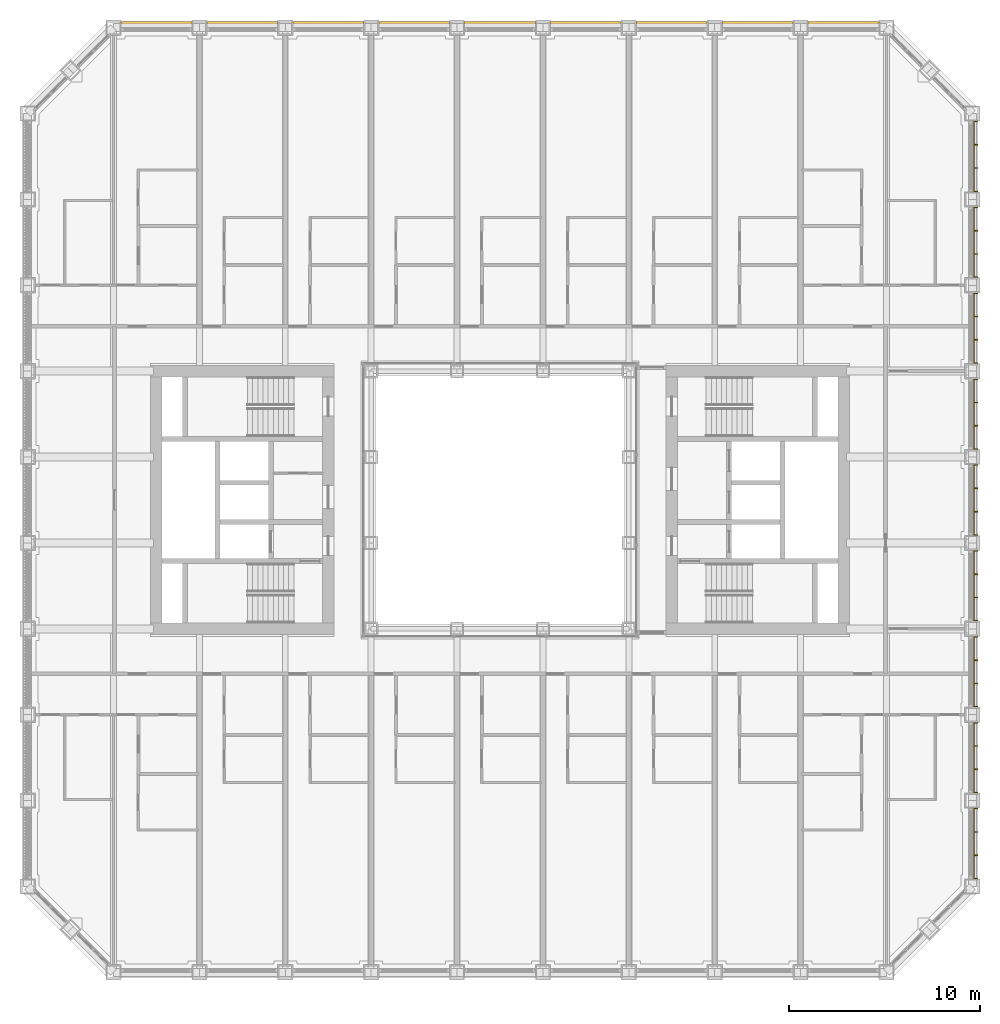
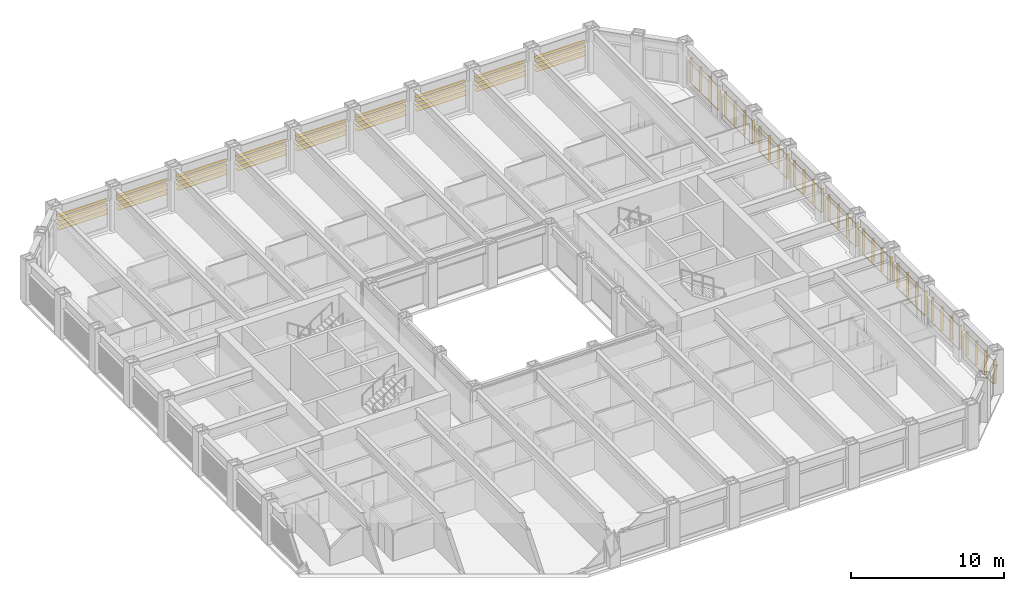
# One storey, part 21 of 21: 2 shading devices.
"""IFC4 building model written with IfcOpenShell, lengths in metres."""

from ifc_helpers import new_model, si_unit, direction, frame, origin, origin_2d, place, context, subcontext, project, spatial, rectangle, extrude, material, type_object, element, save


model = new_model("IFC4")

# Units and contexts
model_context = context("Model", 3, precision=1e-05, world=origin(), true_north=direction((0.0, 1.0)))
body_context = subcontext(model_context, "Body", "Model", "MODEL_VIEW")
ifc_project = project(units=[si_unit("LENGTHUNIT", "METRE"), si_unit("AREAUNIT", "SQUARE_METRE"), si_unit("VOLUMEUNIT", "CUBIC_METRE"), si_unit("PLANEANGLEUNIT", "RADIAN"), si_unit("MASSUNIT", "GRAM", prefix="KILO")], contexts=[model_context])

# Site, building, storey
site_placement = place(None, origin())
site = spatial("IfcSite", under=ifc_project, at=site_placement, CompositionType="ELEMENT")
building_placement = place(site_placement, origin())
building = spatial("IfcBuilding", under=site, at=building_placement, Name="Msasa Ring Tower", CompositionType="ELEMENT")
storey_placement = place(building_placement, frame((0.0, 0.0, 33.5)))
storey = spatial("IfcBuildingStorey", under=building, at=storey_placement, Name="L07", CompositionType="ELEMENT", Elevation=33.5)

# Shading devices
ifc_material_1 = material(Name="Extruded terracotta on aluminium carriers", Category="masonry")
shading_device_type_1 = type_object("IfcShadingDeviceType", Name="BS2 TERRACOTTA FIN SCREEN 40x200 AT 1350", PredefinedType="USERDEFINED", material=ifc_material_1)
shading_device_1_placement = place(storey_placement, origin())
element("IfcShadingDevice", 1, at=shading_device_1_placement, inside=storey, type_object=shading_device_type_1, Name="Terracotta fin screen E L07", ObjectType="BAGUETTE", PredefinedType="USERDEFINED", context=body_context, shape_type="SweptSolid", body=[
    extrude(rectangle(XDim=0.06005859375, YDim=0.0400390625, at=origin_2d()), frame((24.830078125, -19.85009765625, 0.330078125), z_axis=(0.0, 1.0, 0.0), x_axis=(0.0, 0.0, 1.0)), (0.0, 0.0, 1.0), 3.699951171875),
    extrude(rectangle(XDim=0.06005859375, YDim=0.0400390625, at=origin_2d()), frame((24.830078125, -19.85009765625, 2.198974609375), z_axis=(0.0, 1.0, 0.0), x_axis=(0.0, 0.0, 1.0)), (0.0, 0.0, 1.0), 3.699951171875),
    extrude(rectangle(XDim=0.0400390625, YDim=0.199951171875, at=origin_2d()), frame((24.945068359375, -19.830078125, 0.300048828125), z_axis=(0.0, 0.0, 1.0), x_axis=(0.0, 1.0, 0.0)), (0.0, 0.0, 1.0), 1.928955078125),
    extrude(rectangle(XDim=0.0400390625, YDim=0.199951171875, at=origin_2d()), frame((24.945068359375, -18.610107421875, 0.300048828125), z_axis=(0.0, 0.0, 1.0), x_axis=(0.0, 1.0, 0.0)), (0.0, 0.0, 1.0), 1.928955078125),
    extrude(rectangle(XDim=0.0400390625, YDim=0.199951171875, at=origin_2d()), frame((24.945068359375, -17.389892578125, 0.300048828125), z_axis=(0.0, 0.0, 1.0), x_axis=(0.0, 1.0, 0.0)), (0.0, 0.0, 1.0), 1.928955078125),
    extrude(rectangle(XDim=0.0400390625, YDim=0.199951171875, at=origin_2d()), frame((24.945068359375, -16.169921875, 0.300048828125), z_axis=(0.0, 0.0, 1.0), x_axis=(0.0, 1.0, 0.0)), (0.0, 0.0, 1.0), 1.928955078125),
    extrude(rectangle(XDim=0.06005859375, YDim=0.0400390625, at=origin_2d()), frame((24.830078125, -15.35009765625, 0.330078125), z_axis=(0.0, 1.0, 0.0), x_axis=(0.0, 0.0, 1.0)), (0.0, 0.0, 1.0), 3.699951171875),
    extrude(rectangle(XDim=0.06005859375, YDim=0.0400390625, at=origin_2d()), frame((24.830078125, -15.35009765625, 2.198974609375), z_axis=(0.0, 1.0, 0.0), x_axis=(0.0, 0.0, 1.0)), (0.0, 0.0, 1.0), 3.699951171875),
    extrude(rectangle(XDim=0.0400390625, YDim=0.199951171875, at=origin_2d()), frame((24.945068359375, -15.330078125, 0.300048828125), z_axis=(0.0, 0.0, 1.0), x_axis=(0.0, 1.0, 0.0)), (0.0, 0.0, 1.0), 1.928955078125),
    extrude(rectangle(XDim=0.0400390625, YDim=0.199951171875, at=origin_2d()), frame((24.945068359375, -14.110107421875, 0.300048828125), z_axis=(0.0, 0.0, 1.0), x_axis=(0.0, 1.0, 0.0)), (0.0, 0.0, 1.0), 1.928955078125),
    extrude(rectangle(XDim=0.0400390625, YDim=0.199951171875, at=origin_2d()), frame((24.945068359375, -12.889892578125, 0.300048828125), z_axis=(0.0, 0.0, 1.0), x_axis=(0.0, 1.0, 0.0)), (0.0, 0.0, 1.0), 1.928955078125),
    extrude(rectangle(XDim=0.0400390625, YDim=0.199951171875, at=origin_2d()), frame((24.945068359375, -11.669921875, 0.300048828125), z_axis=(0.0, 0.0, 1.0), x_axis=(0.0, 1.0, 0.0)), (0.0, 0.0, 1.0), 1.928955078125),
    extrude(rectangle(XDim=0.06005859375, YDim=0.0400390625, at=origin_2d()), frame((24.830078125, -10.85009765625, 0.330078125), z_axis=(0.0, 1.0, 0.0), x_axis=(0.0, 0.0, 1.0)), (0.0, 0.0, 1.0), 3.699951171875),
    extrude(rectangle(XDim=0.06005859375, YDim=0.0400390625, at=origin_2d()), frame((24.830078125, -10.85009765625, 2.198974609375), z_axis=(0.0, 1.0, 0.0), x_axis=(0.0, 0.0, 1.0)), (0.0, 0.0, 1.0), 3.699951171875),
    extrude(rectangle(XDim=0.0400390625, YDim=0.199951171875, at=origin_2d()), frame((24.945068359375, -10.830078125, 0.300048828125), z_axis=(0.0, 0.0, 1.0), x_axis=(0.0, 1.0, 0.0)), (0.0, 0.0, 1.0), 1.928955078125),
    extrude(rectangle(XDim=0.0400390625, YDim=0.199951171875, at=origin_2d()), frame((24.945068359375, -9.610107421875, 0.300048828125), z_axis=(0.0, 0.0, 1.0), x_axis=(0.0, 1.0, 0.0)), (0.0, 0.0, 1.0), 1.928955078125),
    extrude(rectangle(XDim=0.0400390625, YDim=0.199951171875, at=origin_2d()), frame((24.945068359375, -8.389892578125, 0.300048828125), z_axis=(0.0, 0.0, 1.0), x_axis=(0.0, 1.0, 0.0)), (0.0, 0.0, 1.0), 1.928955078125),
    extrude(rectangle(XDim=0.0400390625, YDim=0.199951171875, at=origin_2d()), frame((24.945068359375, -7.169921875, 0.300048828125), z_axis=(0.0, 0.0, 1.0), x_axis=(0.0, 1.0, 0.0)), (0.0, 0.0, 1.0), 1.928955078125),
    extrude(rectangle(XDim=0.06005859375, YDim=0.0400390625, at=origin_2d()), frame((24.830078125, -6.35009765625, 0.330078125), z_axis=(0.0, 1.0, 0.0), x_axis=(0.0, 0.0, 1.0)), (0.0, 0.0, 1.0), 3.699951171875),
    extrude(rectangle(XDim=0.06005859375, YDim=0.0400390625, at=origin_2d()), frame((24.830078125, -6.35009765625, 2.198974609375), z_axis=(0.0, 1.0, 0.0), x_axis=(0.0, 0.0, 1.0)), (0.0, 0.0, 1.0), 3.699951171875),
    extrude(rectangle(XDim=0.0400390625, YDim=0.199951171875, at=origin_2d()), frame((24.945068359375, -6.330078125, 0.300048828125), z_axis=(0.0, 0.0, 1.0), x_axis=(0.0, 1.0, 0.0)), (0.0, 0.0, 1.0), 1.928955078125),
    extrude(rectangle(XDim=0.0400390625, YDim=0.199951171875, at=origin_2d()), frame((24.945068359375, -5.110107421875, 0.300048828125), z_axis=(0.0, 0.0, 1.0), x_axis=(0.0, 1.0, 0.0)), (0.0, 0.0, 1.0), 1.928955078125),
    extrude(rectangle(XDim=0.0400390625, YDim=0.199951171875, at=origin_2d()), frame((24.945068359375, -3.889892578125, 0.300048828125), z_axis=(0.0, 0.0, 1.0), x_axis=(0.0, 1.0, 0.0)), (0.0, 0.0, 1.0), 1.928955078125),
    extrude(rectangle(XDim=0.0400390625, YDim=0.199951171875, at=origin_2d()), frame((24.945068359375, -2.669921875, 0.300048828125), z_axis=(0.0, 0.0, 1.0), x_axis=(0.0, 1.0, 0.0)), (0.0, 0.0, 1.0), 1.928955078125),
    extrude(rectangle(XDim=0.06005859375, YDim=0.0400390625, at=origin_2d()), frame((24.830078125, -1.85009765625, 0.330078125), z_axis=(0.0, 1.0, 0.0), x_axis=(0.0, 0.0, 1.0)), (0.0, 0.0, 1.0), 3.699951171875),
    extrude(rectangle(XDim=0.06005859375, YDim=0.0400390625, at=origin_2d()), frame((24.830078125, -1.85009765625, 2.198974609375), z_axis=(0.0, 1.0, 0.0), x_axis=(0.0, 0.0, 1.0)), (0.0, 0.0, 1.0), 3.699951171875),
    extrude(rectangle(XDim=0.0400390625, YDim=0.199951171875, at=origin_2d()), frame((24.945068359375, -1.830078125, 0.300048828125), z_axis=(0.0, 0.0, 1.0), x_axis=(0.0, 1.0, 0.0)), (0.0, 0.0, 1.0), 1.928955078125),
    extrude(rectangle(XDim=0.0400390625, YDim=0.199951171875, at=origin_2d()), frame((24.945068359375, -0.610107421875, 0.300048828125), z_axis=(0.0, 0.0, 1.0), x_axis=(0.0, 1.0, 0.0)), (0.0, 0.0, 1.0), 1.928955078125),
    extrude(rectangle(XDim=0.0400390625, YDim=0.199951171875, at=origin_2d()), frame((24.945068359375, 0.610107421875, 0.300048828125), z_axis=(0.0, 0.0, 1.0), x_axis=(0.0, 1.0, 0.0)), (0.0, 0.0, 1.0), 1.928955078125),
    extrude(rectangle(XDim=0.0400390625, YDim=0.199951171875, at=origin_2d()), frame((24.945068359375, 1.830078125, 0.300048828125), z_axis=(0.0, 0.0, 1.0), x_axis=(0.0, 1.0, 0.0)), (0.0, 0.0, 1.0), 1.928955078125),
    extrude(rectangle(XDim=0.06005859375, YDim=0.0400390625, at=origin_2d()), frame((24.830078125, 2.64990234375, 0.330078125), z_axis=(0.0, 1.0, 0.0), x_axis=(0.0, 0.0, 1.0)), (0.0, 0.0, 1.0), 3.699951171875),
    extrude(rectangle(XDim=0.06005859375, YDim=0.0400390625, at=origin_2d()), frame((24.830078125, 2.64990234375, 2.198974609375), z_axis=(0.0, 1.0, 0.0), x_axis=(0.0, 0.0, 1.0)), (0.0, 0.0, 1.0), 3.699951171875),
    extrude(rectangle(XDim=0.0400390625, YDim=0.199951171875, at=origin_2d()), frame((24.945068359375, 2.669921875, 0.300048828125), z_axis=(0.0, 0.0, 1.0), x_axis=(0.0, 1.0, 0.0)), (0.0, 0.0, 1.0), 1.928955078125),
    extrude(rectangle(XDim=0.0400390625, YDim=0.199951171875, at=origin_2d()), frame((24.945068359375, 3.889892578125, 0.300048828125), z_axis=(0.0, 0.0, 1.0), x_axis=(0.0, 1.0, 0.0)), (0.0, 0.0, 1.0), 1.928955078125),
    extrude(rectangle(XDim=0.0400390625, YDim=0.199951171875, at=origin_2d()), frame((24.945068359375, 5.110107421875, 0.300048828125), z_axis=(0.0, 0.0, 1.0), x_axis=(0.0, 1.0, 0.0)), (0.0, 0.0, 1.0), 1.928955078125),
    extrude(rectangle(XDim=0.0400390625, YDim=0.199951171875, at=origin_2d()), frame((24.945068359375, 6.330078125, 0.300048828125), z_axis=(0.0, 0.0, 1.0), x_axis=(0.0, 1.0, 0.0)), (0.0, 0.0, 1.0), 1.928955078125),
    extrude(rectangle(XDim=0.06005859375, YDim=0.0400390625, at=origin_2d()), frame((24.830078125, 7.14990234375, 0.330078125), z_axis=(0.0, 1.0, 0.0), x_axis=(0.0, 0.0, 1.0)), (0.0, 0.0, 1.0), 3.699951171875),
    extrude(rectangle(XDim=0.06005859375, YDim=0.0400390625, at=origin_2d()), frame((24.830078125, 7.14990234375, 2.198974609375), z_axis=(0.0, 1.0, 0.0), x_axis=(0.0, 0.0, 1.0)), (0.0, 0.0, 1.0), 3.699951171875),
    extrude(rectangle(XDim=0.0400390625, YDim=0.199951171875, at=origin_2d()), frame((24.945068359375, 7.169921875, 0.300048828125), z_axis=(0.0, 0.0, 1.0), x_axis=(0.0, 1.0, 0.0)), (0.0, 0.0, 1.0), 1.928955078125),
    extrude(rectangle(XDim=0.0400390625, YDim=0.199951171875, at=origin_2d()), frame((24.945068359375, 8.389892578125, 0.300048828125), z_axis=(0.0, 0.0, 1.0), x_axis=(0.0, 1.0, 0.0)), (0.0, 0.0, 1.0), 1.928955078125),
    extrude(rectangle(XDim=0.0400390625, YDim=0.199951171875, at=origin_2d()), frame((24.945068359375, 9.610107421875, 0.300048828125), z_axis=(0.0, 0.0, 1.0), x_axis=(0.0, 1.0, 0.0)), (0.0, 0.0, 1.0), 1.928955078125),
    extrude(rectangle(XDim=0.0400390625, YDim=0.199951171875, at=origin_2d()), frame((24.945068359375, 10.830078125, 0.300048828125), z_axis=(0.0, 0.0, 1.0), x_axis=(0.0, 1.0, 0.0)), (0.0, 0.0, 1.0), 1.928955078125),
    extrude(rectangle(XDim=0.06005859375, YDim=0.0400390625, at=origin_2d()), frame((24.830078125, 11.64990234375, 0.330078125), z_axis=(0.0, 1.0, 0.0), x_axis=(0.0, 0.0, 1.0)), (0.0, 0.0, 1.0), 3.699951171875),
    extrude(rectangle(XDim=0.06005859375, YDim=0.0400390625, at=origin_2d()), frame((24.830078125, 11.64990234375, 2.198974609375), z_axis=(0.0, 1.0, 0.0), x_axis=(0.0, 0.0, 1.0)), (0.0, 0.0, 1.0), 3.699951171875),
    extrude(rectangle(XDim=0.0400390625, YDim=0.199951171875, at=origin_2d()), frame((24.945068359375, 11.669921875, 0.300048828125), z_axis=(0.0, 0.0, 1.0), x_axis=(0.0, 1.0, 0.0)), (0.0, 0.0, 1.0), 1.928955078125),
    extrude(rectangle(XDim=0.0400390625, YDim=0.199951171875, at=origin_2d()), frame((24.945068359375, 12.889892578125, 0.300048828125), z_axis=(0.0, 0.0, 1.0), x_axis=(0.0, 1.0, 0.0)), (0.0, 0.0, 1.0), 1.928955078125),
    extrude(rectangle(XDim=0.0400390625, YDim=0.199951171875, at=origin_2d()), frame((24.945068359375, 14.110107421875, 0.300048828125), z_axis=(0.0, 0.0, 1.0), x_axis=(0.0, 1.0, 0.0)), (0.0, 0.0, 1.0), 1.928955078125),
    extrude(rectangle(XDim=0.0400390625, YDim=0.199951171875, at=origin_2d()), frame((24.945068359375, 15.330078125, 0.300048828125), z_axis=(0.0, 0.0, 1.0), x_axis=(0.0, 1.0, 0.0)), (0.0, 0.0, 1.0), 1.928955078125),
    extrude(rectangle(XDim=0.06005859375, YDim=0.0400390625, at=origin_2d()), frame((24.830078125, 16.14990234375, 0.330078125), z_axis=(0.0, 1.0, 0.0), x_axis=(0.0, 0.0, 1.0)), (0.0, 0.0, 1.0), 3.699951171875),
    extrude(rectangle(XDim=0.06005859375, YDim=0.0400390625, at=origin_2d()), frame((24.830078125, 16.14990234375, 2.198974609375), z_axis=(0.0, 1.0, 0.0), x_axis=(0.0, 0.0, 1.0)), (0.0, 0.0, 1.0), 3.699951171875),
    extrude(rectangle(XDim=0.0400390625, YDim=0.199951171875, at=origin_2d()), frame((24.945068359375, 16.169921875, 0.300048828125), z_axis=(0.0, 0.0, 1.0), x_axis=(0.0, 1.0, 0.0)), (0.0, 0.0, 1.0), 1.928955078125),
    extrude(rectangle(XDim=0.0400390625, YDim=0.199951171875, at=origin_2d()), frame((24.945068359375, 17.389892578125, 0.300048828125), z_axis=(0.0, 0.0, 1.0), x_axis=(0.0, 1.0, 0.0)), (0.0, 0.0, 1.0), 1.928955078125),
    extrude(rectangle(XDim=0.0400390625, YDim=0.199951171875, at=origin_2d()), frame((24.945068359375, 18.610107421875, 0.300048828125), z_axis=(0.0, 0.0, 1.0), x_axis=(0.0, 1.0, 0.0)), (0.0, 0.0, 1.0), 1.928955078125),
    extrude(rectangle(XDim=0.0400390625, YDim=0.199951171875, at=origin_2d()), frame((24.945068359375, 19.830078125, 0.300048828125), z_axis=(0.0, 0.0, 1.0), x_axis=(0.0, 1.0, 0.0)), (0.0, 0.0, 1.0), 1.928955078125),
])
ifc_material_2 = material(Name="Extruded terracotta blades", Category="masonry")
shading_device_type_2 = type_object("IfcShadingDeviceType", Name="SS1 TERRACOTTA SUNSHADE 4 BLADES 300x40 AT 350", PredefinedType="USERDEFINED", material=ifc_material_2)
shading_device_2_placement = place(storey_placement, origin())
element("IfcShadingDevice", 2, at=shading_device_2_placement, inside=storey, type_object=shading_device_type_2, Name="Terracotta sunshade N L07", ObjectType="SUNSHADE", PredefinedType="USERDEFINED", context=body_context, shape_type="SweptSolid", body=[
    extrude(rectangle(XDim=0.0400390625, YDim=0.300048828125, at=origin_2d()), frame((-19.85009765625, 24.929931640625, 2.208984375), z_axis=(1.0, 0.0, 0.0), x_axis=(0.0, 0.0, 1.0)), (0.0, 0.0, 1.0), 3.699951171875),
    extrude(rectangle(XDim=0.0400390625, YDim=0.300048828125, at=origin_2d()), frame((-19.85009765625, 24.929931640625, 1.85888671875), z_axis=(1.0, 0.0, 0.0), x_axis=(0.0, 0.0, 1.0)), (0.0, 0.0, 1.0), 3.699951171875),
    extrude(rectangle(XDim=0.0400390625, YDim=0.300048828125, at=origin_2d()), frame((-19.85009765625, 24.929931640625, 1.509033203125), z_axis=(1.0, 0.0, 0.0), x_axis=(0.0, 0.0, 1.0)), (0.0, 0.0, 1.0), 3.699951171875),
    extrude(rectangle(XDim=0.0400390625, YDim=0.300048828125, at=origin_2d()), frame((-19.85009765625, 24.929931640625, 1.158935546875), z_axis=(1.0, 0.0, 0.0), x_axis=(0.0, 0.0, 1.0)), (0.0, 0.0, 1.0), 3.699951171875),
    extrude(rectangle(XDim=0.0400390625, YDim=0.300048828125, at=origin_2d()), frame((-15.35009765625, 24.929931640625, 2.208984375), z_axis=(1.0, 0.0, 0.0), x_axis=(0.0, 0.0, 1.0)), (0.0, 0.0, 1.0), 3.699951171875),
    extrude(rectangle(XDim=0.0400390625, YDim=0.300048828125, at=origin_2d()), frame((-15.35009765625, 24.929931640625, 1.85888671875), z_axis=(1.0, 0.0, 0.0), x_axis=(0.0, 0.0, 1.0)), (0.0, 0.0, 1.0), 3.699951171875),
    extrude(rectangle(XDim=0.0400390625, YDim=0.300048828125, at=origin_2d()), frame((-15.35009765625, 24.929931640625, 1.509033203125), z_axis=(1.0, 0.0, 0.0), x_axis=(0.0, 0.0, 1.0)), (0.0, 0.0, 1.0), 3.699951171875),
    extrude(rectangle(XDim=0.0400390625, YDim=0.300048828125, at=origin_2d()), frame((-15.35009765625, 24.929931640625, 1.158935546875), z_axis=(1.0, 0.0, 0.0), x_axis=(0.0, 0.0, 1.0)), (0.0, 0.0, 1.0), 3.699951171875),
    extrude(rectangle(XDim=0.0400390625, YDim=0.300048828125, at=origin_2d()), frame((-10.85009765625, 24.929931640625, 2.208984375), z_axis=(1.0, 0.0, 0.0), x_axis=(0.0, 0.0, 1.0)), (0.0, 0.0, 1.0), 3.699951171875),
    extrude(rectangle(XDim=0.0400390625, YDim=0.300048828125, at=origin_2d()), frame((-10.85009765625, 24.929931640625, 1.85888671875), z_axis=(1.0, 0.0, 0.0), x_axis=(0.0, 0.0, 1.0)), (0.0, 0.0, 1.0), 3.699951171875),
    extrude(rectangle(XDim=0.0400390625, YDim=0.300048828125, at=origin_2d()), frame((-10.85009765625, 24.929931640625, 1.509033203125), z_axis=(1.0, 0.0, 0.0), x_axis=(0.0, 0.0, 1.0)), (0.0, 0.0, 1.0), 3.699951171875),
    extrude(rectangle(XDim=0.0400390625, YDim=0.300048828125, at=origin_2d()), frame((-10.85009765625, 24.929931640625, 1.158935546875), z_axis=(1.0, 0.0, 0.0), x_axis=(0.0, 0.0, 1.0)), (0.0, 0.0, 1.0), 3.699951171875),
    extrude(rectangle(XDim=0.0400390625, YDim=0.300048828125, at=origin_2d()), frame((-6.35009765625, 24.929931640625, 2.208984375), z_axis=(1.0, 0.0, 0.0), x_axis=(0.0, 0.0, 1.0)), (0.0, 0.0, 1.0), 3.699951171875),
    extrude(rectangle(XDim=0.0400390625, YDim=0.300048828125, at=origin_2d()), frame((-6.35009765625, 24.929931640625, 1.85888671875), z_axis=(1.0, 0.0, 0.0), x_axis=(0.0, 0.0, 1.0)), (0.0, 0.0, 1.0), 3.699951171875),
    extrude(rectangle(XDim=0.0400390625, YDim=0.300048828125, at=origin_2d()), frame((-6.35009765625, 24.929931640625, 1.509033203125), z_axis=(1.0, 0.0, 0.0), x_axis=(0.0, 0.0, 1.0)), (0.0, 0.0, 1.0), 3.699951171875),
    extrude(rectangle(XDim=0.0400390625, YDim=0.300048828125, at=origin_2d()), frame((-6.35009765625, 24.929931640625, 1.158935546875), z_axis=(1.0, 0.0, 0.0), x_axis=(0.0, 0.0, 1.0)), (0.0, 0.0, 1.0), 3.699951171875),
    extrude(rectangle(XDim=0.0400390625, YDim=0.300048828125, at=origin_2d()), frame((-1.85009765625, 24.929931640625, 2.208984375), z_axis=(1.0, 0.0, 0.0), x_axis=(0.0, 0.0, 1.0)), (0.0, 0.0, 1.0), 3.699951171875),
    extrude(rectangle(XDim=0.0400390625, YDim=0.300048828125, at=origin_2d()), frame((-1.85009765625, 24.929931640625, 1.85888671875), z_axis=(1.0, 0.0, 0.0), x_axis=(0.0, 0.0, 1.0)), (0.0, 0.0, 1.0), 3.699951171875),
    extrude(rectangle(XDim=0.0400390625, YDim=0.300048828125, at=origin_2d()), frame((-1.85009765625, 24.929931640625, 1.509033203125), z_axis=(1.0, 0.0, 0.0), x_axis=(0.0, 0.0, 1.0)), (0.0, 0.0, 1.0), 3.699951171875),
    extrude(rectangle(XDim=0.0400390625, YDim=0.300048828125, at=origin_2d()), frame((-1.85009765625, 24.929931640625, 1.158935546875), z_axis=(1.0, 0.0, 0.0), x_axis=(0.0, 0.0, 1.0)), (0.0, 0.0, 1.0), 3.699951171875),
    extrude(rectangle(XDim=0.0400390625, YDim=0.300048828125, at=origin_2d()), frame((2.64990234375, 24.929931640625, 2.208984375), z_axis=(1.0, 0.0, 0.0), x_axis=(0.0, 0.0, 1.0)), (0.0, 0.0, 1.0), 3.699951171875),
    extrude(rectangle(XDim=0.0400390625, YDim=0.300048828125, at=origin_2d()), frame((2.64990234375, 24.929931640625, 1.85888671875), z_axis=(1.0, 0.0, 0.0), x_axis=(0.0, 0.0, 1.0)), (0.0, 0.0, 1.0), 3.699951171875),
    extrude(rectangle(XDim=0.0400390625, YDim=0.300048828125, at=origin_2d()), frame((2.64990234375, 24.929931640625, 1.509033203125), z_axis=(1.0, 0.0, 0.0), x_axis=(0.0, 0.0, 1.0)), (0.0, 0.0, 1.0), 3.699951171875),
    extrude(rectangle(XDim=0.0400390625, YDim=0.300048828125, at=origin_2d()), frame((2.64990234375, 24.929931640625, 1.158935546875), z_axis=(1.0, 0.0, 0.0), x_axis=(0.0, 0.0, 1.0)), (0.0, 0.0, 1.0), 3.699951171875),
    extrude(rectangle(XDim=0.0400390625, YDim=0.300048828125, at=origin_2d()), frame((7.14990234375, 24.929931640625, 2.208984375), z_axis=(1.0, 0.0, 0.0), x_axis=(0.0, 0.0, 1.0)), (0.0, 0.0, 1.0), 3.699951171875),
    extrude(rectangle(XDim=0.0400390625, YDim=0.300048828125, at=origin_2d()), frame((7.14990234375, 24.929931640625, 1.85888671875), z_axis=(1.0, 0.0, 0.0), x_axis=(0.0, 0.0, 1.0)), (0.0, 0.0, 1.0), 3.699951171875),
    extrude(rectangle(XDim=0.0400390625, YDim=0.300048828125, at=origin_2d()), frame((7.14990234375, 24.929931640625, 1.509033203125), z_axis=(1.0, 0.0, 0.0), x_axis=(0.0, 0.0, 1.0)), (0.0, 0.0, 1.0), 3.699951171875),
    extrude(rectangle(XDim=0.0400390625, YDim=0.300048828125, at=origin_2d()), frame((7.14990234375, 24.929931640625, 1.158935546875), z_axis=(1.0, 0.0, 0.0), x_axis=(0.0, 0.0, 1.0)), (0.0, 0.0, 1.0), 3.699951171875),
    extrude(rectangle(XDim=0.0400390625, YDim=0.300048828125, at=origin_2d()), frame((11.64990234375, 24.929931640625, 2.208984375), z_axis=(1.0, 0.0, 0.0), x_axis=(0.0, 0.0, 1.0)), (0.0, 0.0, 1.0), 3.699951171875),
    extrude(rectangle(XDim=0.0400390625, YDim=0.300048828125, at=origin_2d()), frame((11.64990234375, 24.929931640625, 1.85888671875), z_axis=(1.0, 0.0, 0.0), x_axis=(0.0, 0.0, 1.0)), (0.0, 0.0, 1.0), 3.699951171875),
    extrude(rectangle(XDim=0.0400390625, YDim=0.300048828125, at=origin_2d()), frame((11.64990234375, 24.929931640625, 1.509033203125), z_axis=(1.0, 0.0, 0.0), x_axis=(0.0, 0.0, 1.0)), (0.0, 0.0, 1.0), 3.699951171875),
    extrude(rectangle(XDim=0.0400390625, YDim=0.300048828125, at=origin_2d()), frame((11.64990234375, 24.929931640625, 1.158935546875), z_axis=(1.0, 0.0, 0.0), x_axis=(0.0, 0.0, 1.0)), (0.0, 0.0, 1.0), 3.699951171875),
    extrude(rectangle(XDim=0.0400390625, YDim=0.300048828125, at=origin_2d()), frame((16.14990234375, 24.929931640625, 2.208984375), z_axis=(1.0, 0.0, 0.0), x_axis=(0.0, 0.0, 1.0)), (0.0, 0.0, 1.0), 3.699951171875),
    extrude(rectangle(XDim=0.0400390625, YDim=0.300048828125, at=origin_2d()), frame((16.14990234375, 24.929931640625, 1.85888671875), z_axis=(1.0, 0.0, 0.0), x_axis=(0.0, 0.0, 1.0)), (0.0, 0.0, 1.0), 3.699951171875),
    extrude(rectangle(XDim=0.0400390625, YDim=0.300048828125, at=origin_2d()), frame((16.14990234375, 24.929931640625, 1.509033203125), z_axis=(1.0, 0.0, 0.0), x_axis=(0.0, 0.0, 1.0)), (0.0, 0.0, 1.0), 3.699951171875),
    extrude(rectangle(XDim=0.0400390625, YDim=0.300048828125, at=origin_2d()), frame((16.14990234375, 24.929931640625, 1.158935546875), z_axis=(1.0, 0.0, 0.0), x_axis=(0.0, 0.0, 1.0)), (0.0, 0.0, 1.0), 3.699951171875),
])

save(model, "model.ifc")
